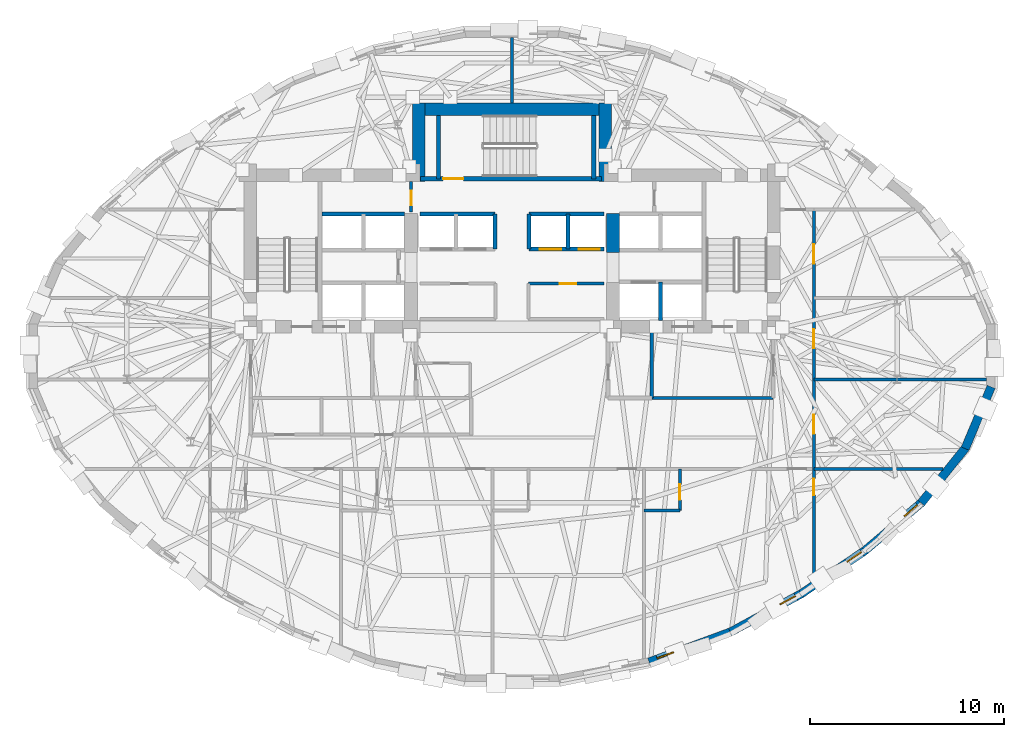
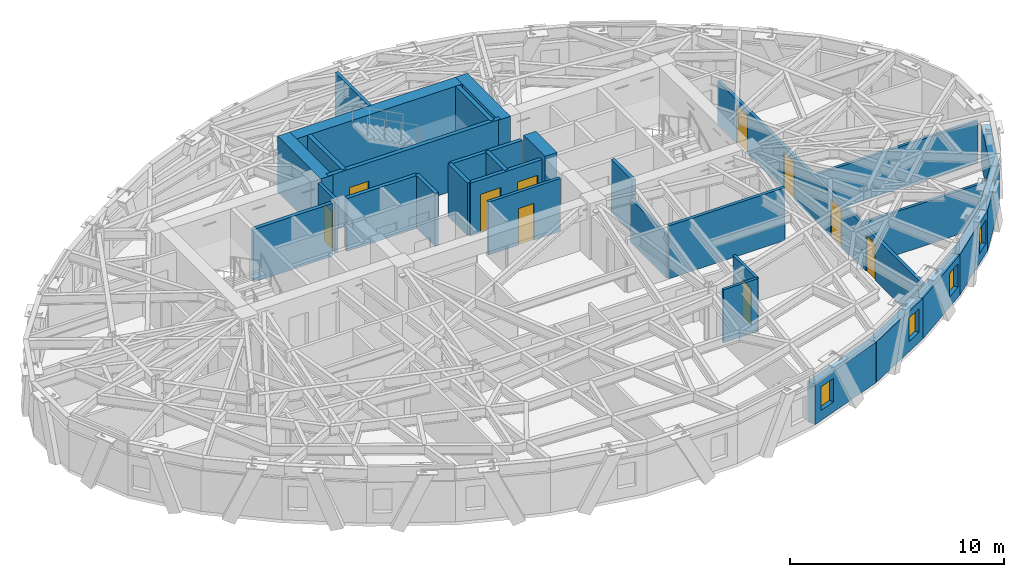
# One storey, part 8 of 14: 31 walls, 10 doors, 4 windows, 14 openings.
"""IFC4 building model written with IfcOpenShell, lengths in metres."""

from ifc_helpers import new_model, si_unit, direction, frame, frame_2d, origin, place, context, subcontext, project, spatial, rectangle, extrude, material, layer, layer_set, type_object, element, fill, save


model = new_model("IFC4")

# Units and contexts
model_context = context("Model", 3, precision=1e-05, world=origin(), true_north=direction((0.0, 1.0)))
body_context = subcontext(model_context, "Body", "Model", "MODEL_VIEW")
ifc_project = project(units=[si_unit("LENGTHUNIT", "METRE"), si_unit("AREAUNIT", "SQUARE_METRE"), si_unit("VOLUMEUNIT", "CUBIC_METRE"), si_unit("PLANEANGLEUNIT", "RADIAN"), si_unit("MASSUNIT", "GRAM", prefix="KILO")], contexts=[model_context])

# Site, building, storey
site_placement = place(None, origin())
site = spatial("IfcSite", under=ifc_project, at=site_placement, CompositionType="ELEMENT")
building_placement = place(site_placement, origin())
building = spatial("IfcBuilding", under=site, at=building_placement, Name="Keldmark Tower", CompositionType="ELEMENT")
storey_placement = place(building_placement, frame((0.0, 0.0, 179.0)))
storey = spatial("IfcBuildingStorey", under=building, at=storey_placement, Name="L49", CompositionType="ELEMENT", Elevation=179.0)

# Walls
ifc_material_1 = material(Name="Type X Fire-Rated Gypsum Partition Assembly", Category="gypsum")
ifc_layer_1 = layer(ifc_material_1, 0.1650390625)
ifc_layer_set_1 = layer_set([ifc_layer_1], Name="Type X Fire-Rated Gypsum Partition Assembly")
wall_type_1 = type_object("IfcWallType", Name="Rated Partition 165 mm", PredefinedType="PARTITIONING", material=ifc_layer_set_1)
wall_1_placement = place(storey_placement, frame((7.199951171875, -2.14990234375, 0.0), z_axis=(0.0, 0.0, 1.0), x_axis=(1.0, 0.0, 0.0)))
element("IfcWall", 1, at=wall_1_placement, inside=storey, type_object=wall_type_1, Name="L49 Rated Partition 165 mm FSAE-E-S", PredefinedType="PARTITIONING", context=body_context, shape_type="SweptSolid", body=[
    extrude(rectangle(XDim=6.25, YDim=0.1650390625, at=frame_2d((3.125, 0.0))), origin(), (0.0, 0.0, 1.0), 3.02001953125),
])
wall_2_placement = place(storey_placement, frame((7.199951171875, -2.14990234375, 0.0), z_axis=(0.0, 0.0, 1.0), x_axis=(0.0, 1.0, 0.0)))
element("IfcWall", 2, at=wall_2_placement, inside=storey, type_object=wall_type_1, Name="L49 Rated Partition 165 mm FSAE-E-W", PredefinedType="PARTITIONING", context=body_context, shape_type="SweptSolid", body=[
    extrude(rectangle(XDim=3.39990234375, YDim=0.1650390625, at=frame_2d((1.699951171875, 0.0))), origin(), (0.0, 0.0, 1.0), 2.472900390625),
])

# Wall, opening, door
wall_3_placement = place(storey_placement, frame((0.85009765625, 3.739990234375, 0.0), z_axis=(0.0, 0.0, 1.0), x_axis=(1.0, 0.0, 0.0)))
wall_3 = element("IfcWall", 3, at=wall_3_placement, inside=storey, type_object=wall_type_1, Name="L49 Rated Partition 165 mm REC-LE-N", PredefinedType="PARTITIONING", context=body_context, shape_type="SweptSolid", body=[
    extrude(rectangle(XDim=3.889892578125, YDim=0.1650390625, at=frame_2d((1.94482421875, 0.0))), origin(), (0.0, 0.0, 1.0), 3.02001953125),
])
opening_1_placement = place(wall_3_placement, frame((1.60009765625, 0.0, 0.0)))
opening_1 = element("IfcOpeningElement", 4, at=opening_1_placement, cuts=wall_3, Name="Opening D-SV085", PredefinedType="OPENING", context=body_context, shape_type="SweptSolid", body=[
    extrude(rectangle(XDim=0.85009765625, YDim=2.10009765625, at=frame_2d((0.425048828125, 1.050048828125))), frame((0.0, 0.092529296875, 0.0), z_axis=(0.0, -1.0, 0.0), x_axis=(1.0, 0.0, 0.0)), (0.0, 0.0, 1.0), 0.18505859375),
])
ifc_material_2 = material(Name="Painted Hollow Metal Door Assembly", Category="metal")
door_type_1 = type_object("IfcDoorType", Name="Service Door 850x2100", OperationType="NOTDEFINED", PredefinedType="DOOR", material=ifc_material_2)
door_1_placement = place(opening_1_placement, origin())
door_1 = element("IfcDoor", 5, at=door_1_placement, inside=storey, type_object=door_type_1, Name="L49 Service Door 850x2100 D-RECLE1-L49", OperationType="SINGLE_SWING_RIGHT", OverallHeight=2.10009765625, OverallWidth=0.85009765625, PredefinedType="DOOR", context=body_context, shape_type="SweptSolid", body=[
    extrude(rectangle(XDim=0.85009765625, YDim=2.10009765625, at=frame_2d((0.425048828125, 1.050048828125))), frame((0.0, 0.02490234375, 0.0), z_axis=(0.0, -1.0, 0.0), x_axis=(1.0, 0.0, 0.0)), (0.0, 0.0, 1.0), 0.050048828125),
])
fill(opening_1, door_1)

wall_4_placement = place(storey_placement, frame((-5.199951171875, 7.419921875, 0.0), z_axis=(0.0, 0.0, 1.0), x_axis=(0.0, 1.0, 0.0)))
wall_4 = element("IfcWall", 6, at=wall_4_placement, inside=storey, type_object=wall_type_1, Name="L49 Rated Partition 165 mm CS-NW-E", PredefinedType="PARTITIONING", context=body_context, shape_type="SweptSolid", body=[
    extrude(rectangle(XDim=1.580078125, YDim=0.1650390625, at=frame_2d((0.7900390625, 0.0))), origin(), (0.0, 0.0, 1.0), 3.02001953125),
])
opening_2_placement = place(wall_4_placement, frame((0.35009765625, 0.0, 0.0)))
opening_2 = element("IfcOpeningElement", 7, at=opening_2_placement, cuts=wall_4, Name="Opening D-RS075", PredefinedType="OPENING", context=body_context, shape_type="SweptSolid", body=[
    extrude(rectangle(XDim=0.75, YDim=2.10009765625, at=frame_2d((0.375, 1.050048828125))), frame((0.0, 0.092529296875, 0.0), z_axis=(0.0, -1.0, 0.0), x_axis=(1.0, 0.0, 0.0)), (0.0, 0.0, 1.0), 0.18505859375),
])
ifc_material_3 = material(Name="Galvanized Fire-Rated Access Leaf", Category="metal")
door_type_2 = type_object("IfcDoorType", Name="Riser Access Door 750x2100", OperationType="NOTDEFINED", PredefinedType="DOOR", material=ifc_material_3)
door_2_placement = place(opening_2_placement, origin())
door_2 = element("IfcDoor", 8, at=door_2_placement, inside=storey, type_object=door_type_2, Name="L49 Riser Access Door 750x2100 D-CSNW1-L49", OperationType="SINGLE_SWING_LEFT", OverallHeight=2.10009765625, OverallWidth=0.75, PredefinedType="DOOR", context=body_context, shape_type="SweptSolid", body=[
    extrude(rectangle(XDim=0.75, YDim=2.10009765625, at=frame_2d((0.375, 1.050048828125))), frame((0.0, 0.02490234375, 0.0), z_axis=(0.0, -1.0, 0.0), x_axis=(1.0, 0.0, 0.0)), (0.0, 0.0, 1.0), 0.050048828125),
])
fill(opening_2, door_2)

# Wall, openings, doors
wall_5_placement = place(storey_placement, frame((15.550048828125, -11.51416015625, 0.0), z_axis=(0.0, 0.0, 1.0), x_axis=(0.0, 1.0, 0.0)))
wall_5 = element("IfcWall", 9, at=wall_5_placement, inside=storey, type_object=wall_type_1, Name="L49 Rated Partition 165 mm HCOR-E", PredefinedType="PARTITIONING", context=body_context, shape_type="SweptSolid", body=[
    extrude(rectangle(XDim=19.064208984375, YDim=0.1650390625, at=frame_2d((9.5322265625, 0.0))), origin(), (0.0, 0.0, 1.0), 2.472900390625),
])
opening_3_placement = place(wall_5_placement, frame((4.364501953125, 0.0, 0.0)))
opening_3 = element("IfcOpeningElement", 10, at=opening_3_placement, cuts=wall_5, Name="Opening D-IN085", PredefinedType="OPENING", context=body_context, shape_type="SweptSolid", body=[
    extrude(rectangle(XDim=0.85009765625, YDim=2.10009765625, at=frame_2d((0.425048828125, 1.050048828125))), frame((0.0, 0.092529296875, 0.0), z_axis=(0.0, -1.0, 0.0), x_axis=(1.0, 0.0, 0.0)), (0.0, 0.0, 1.0), 0.18505859375),
])
opening_4_placement = place(wall_5_placement, frame((7.5146484375, 0.0, 0.0)))
opening_4 = element("IfcOpeningElement", 11, at=opening_4_placement, cuts=wall_5, Name="Opening D-FD100", PredefinedType="OPENING", context=body_context, shape_type="SweptSolid", body=[
    extrude(rectangle(XDim=1.0, YDim=2.14990234375, at=frame_2d((0.5, 1.074951171875))), frame((0.0, 0.092529296875, 0.0), z_axis=(0.0, -1.0, 0.0), x_axis=(1.0, 0.0, 0.0)), (0.0, 0.0, 1.0), 0.18505859375),
])
opening_5_placement = place(wall_5_placement, frame((11.91455078125, 0.0, 0.0)))
opening_5 = element("IfcOpeningElement", 12, at=opening_5_placement, cuts=wall_5, Name="Opening D-FD100", PredefinedType="OPENING", context=body_context, shape_type="SweptSolid", body=[
    extrude(rectangle(XDim=1.0, YDim=2.14990234375, at=frame_2d((0.5, 1.074951171875))), frame((0.0, 0.092529296875, 0.0), z_axis=(0.0, -1.0, 0.0), x_axis=(1.0, 0.0, 0.0)), (0.0, 0.0, 1.0), 0.18505859375),
])
opening_6_placement = place(wall_5_placement, frame((16.28955078125, 0.0, 0.0)))
opening_6 = element("IfcOpeningElement", 13, at=opening_6_placement, cuts=wall_5, Name="Opening D-FD100", PredefinedType="OPENING", context=body_context, shape_type="SweptSolid", body=[
    extrude(rectangle(XDim=1.0, YDim=2.14990234375, at=frame_2d((0.5, 1.074951171875))), frame((0.0, 0.092529296875, 0.0), z_axis=(0.0, -1.0, 0.0), x_axis=(1.0, 0.0, 0.0)), (0.0, 0.0, 1.0), 0.18505859375),
])
ifc_material_4 = material(Name="Hollow Metal Fire-Rated Corridor Door", Category="metal")
door_type_3 = type_object("IfcDoorType", Name="Fire Door 1000x2150", OperationType="NOTDEFINED", PredefinedType="DOOR", material=ifc_material_4)
door_3_placement = place(opening_4_placement, origin())
door_3 = element("IfcDoor", 14, at=door_3_placement, inside=storey, type_object=door_type_3, Name="L49 Fire Door 1000x2150 D-HESP-1-L49", OperationType="SINGLE_SWING_RIGHT", OverallHeight=2.14990234375, OverallWidth=1.0, PredefinedType="DOOR", context=body_context, shape_type="SweptSolid", body=[
    extrude(rectangle(XDim=1.0, YDim=2.14990234375, at=frame_2d((0.5, 1.074951171875))), frame((0.0, 0.02490234375, 0.0), z_axis=(0.0, -1.0, 0.0), x_axis=(1.0, 0.0, 0.0)), (0.0, 0.0, 1.0), 0.050048828125),
])
fill(opening_4, door_3)
door_4_placement = place(opening_5_placement, origin())
door_4 = element("IfcDoor", 15, at=door_4_placement, inside=storey, type_object=door_type_3, Name="L49 Fire Door 1000x2150 D-HESP-2-L49", OperationType="SINGLE_SWING_LEFT", OverallHeight=2.14990234375, OverallWidth=1.0, PredefinedType="DOOR", context=body_context, shape_type="SweptSolid", body=[
    extrude(rectangle(XDim=1.0, YDim=2.14990234375, at=frame_2d((0.5, 1.074951171875))), frame((0.0, 0.02490234375, 0.0), z_axis=(0.0, -1.0, 0.0), x_axis=(1.0, 0.0, 0.0)), (0.0, 0.0, 1.0), 0.050048828125),
])
fill(opening_5, door_4)
door_5_placement = place(opening_6_placement, origin())
door_5 = element("IfcDoor", 16, at=door_5_placement, inside=storey, type_object=door_type_3, Name="L49 Fire Door 1000x2150 D-HESP-3-L49", OperationType="SINGLE_SWING_LEFT", OverallHeight=2.14990234375, OverallWidth=1.0, PredefinedType="DOOR", context=body_context, shape_type="SweptSolid", body=[
    extrude(rectangle(XDim=1.0, YDim=2.14990234375, at=frame_2d((0.5, 1.074951171875))), frame((0.0, 0.02490234375, 0.0), z_axis=(0.0, -1.0, 0.0), x_axis=(1.0, 0.0, 0.0)), (0.0, 0.0, 1.0), 0.050048828125),
])
fill(opening_6, door_5)
ifc_material_5 = material(Name="Painted Architectural Wood", Category="wood")
door_type_4 = type_object("IfcDoorType", Name="Interior Door 850x2100", OperationType="NOTDEFINED", PredefinedType="DOOR", material=ifc_material_5)
door_6_placement = place(opening_3_placement, origin())
door_6 = element("IfcDoor", 17, at=door_6_placement, inside=storey, type_object=door_type_4, Name="L49 Interior Door 850x2100 D-HKSE-L49", OperationType="SINGLE_SWING_RIGHT", OverallHeight=2.10009765625, OverallWidth=0.85009765625, PredefinedType="DOOR", context=body_context, shape_type="SweptSolid", body=[
    extrude(rectangle(XDim=0.85009765625, YDim=2.10009765625, at=frame_2d((0.425048828125, 1.050048828125))), frame((0.0, 0.02490234375, 0.0), z_axis=(0.0, -1.0, 0.0), x_axis=(1.0, 0.0, 0.0)), (0.0, 0.0, 1.0), 0.050048828125),
])
fill(opening_3, door_6)

# Walls
wall_6_placement = place(storey_placement, frame((0.0, 13.050048828125, 0.0), z_axis=(0.0, 0.0, 1.0), x_axis=(0.0, 1.0, 0.0)))
element("IfcWall", 18, at=wall_6_placement, inside=storey, type_object=wall_type_1, Name="L49 Rated Partition 165 mm HN-DIV", PredefinedType="PARTITIONING", context=body_context, shape_type="SweptSolid", body=[
    extrude(rectangle(XDim=3.366943359375, YDim=0.1650390625, at=frame_2d((1.68359375, 0.0))), origin(), (0.0, 0.0, 1.0), 3.02001953125),
])
ifc_material_6 = material(Name="Fire-Resistant Type X Gypsum Shaftliner Coreboard", Category="gypsum")
ifc_layer_2 = layer(ifc_material_6, 0.199951171875)
ifc_layer_set_2 = layer_set([ifc_layer_2], Name="Fire-Resistant Type X Gypsum Shaftliner Coreboard")
wall_type_2 = type_object("IfcWallType", Name="Shaft Wall 200 mm", PredefinedType="SOLIDWALL", material=ifc_layer_set_2)
wall_7_placement = place(storey_placement, frame((-9.780029296875, 7.330078125, 0.0), z_axis=(0.0, 0.0, 1.0), x_axis=(1.0, 0.0, 0.0)))
element("IfcWall", 19, at=wall_7_placement, inside=storey, type_object=wall_type_2, Name="L49 Shaft Wall 200 mm HW-W-TOP", PredefinedType="SOLIDWALL", context=body_context, shape_type="SweptSolid", body=[
    extrude(rectangle(XDim=4.255126953125, YDim=0.199951171875, at=frame_2d((2.12744140625, 0.0))), origin(), (0.0, 0.0, 1.0), 3.02001953125),
])
wall_8_placement = place(storey_placement, frame((7.64990234375, 1.85009765625, 0.0), z_axis=(0.0, 0.0, 1.0), x_axis=(0.0, 1.0, 0.0)))
element("IfcWall", 20, at=wall_8_placement, inside=storey, type_object=wall_type_2, Name="L49 Shaft Wall 200 mm HW-E-M", PredefinedType="SOLIDWALL", context=body_context, shape_type="SweptSolid", body=[
    extrude(rectangle(XDim=1.969970703125, YDim=0.199951171875, at=frame_2d((0.98486328125, 0.0))), origin(), (0.0, 0.0, 1.0), 3.02001953125),
])

# Wall, openings, doors
wall_9_placement = place(storey_placement, frame((0.8798828125, 5.52001953125, 0.0), z_axis=(0.0, 0.0, 1.0), x_axis=(1.0, 0.0, 0.0)))
wall_9 = element("IfcWall", 21, at=wall_9_placement, inside=storey, type_object=wall_type_2, Name="L49 Shaft Wall 200 mm MID-S-E", PredefinedType="SOLIDWALL", context=body_context, shape_type="SweptSolid", body=[
    extrude(rectangle(XDim=3.860107421875, YDim=0.199951171875, at=frame_2d((1.93017578125, 0.0))), origin(), (0.0, 0.0, 1.0), 3.02001953125),
])
opening_7_placement = place(wall_9_placement, frame((0.550048828125, 0.0, 0.0)))
opening_7 = element("IfcOpeningElement", 22, at=opening_7_placement, cuts=wall_9, Name="Opening LD-110", PredefinedType="OPENING", context=body_context, shape_type="SweptSolid", body=[
    extrude(rectangle(XDim=1.10009765625, YDim=2.199951171875, at=frame_2d((0.550048828125, 1.10009765625))), frame((0.0, 0.10986328125, 0.0), z_axis=(0.0, -1.0, 0.0), x_axis=(1.0, 0.0, 0.0)), (0.0, 0.0, 1.0), 0.219970703125),
])
opening_8_placement = place(wall_9_placement, frame((2.550048828125, 0.0, 0.0)))
opening_8 = element("IfcOpeningElement", 23, at=opening_8_placement, cuts=wall_9, Name="Opening LD-110", PredefinedType="OPENING", context=body_context, shape_type="SweptSolid", body=[
    extrude(rectangle(XDim=1.10009765625, YDim=2.199951171875, at=frame_2d((0.550048828125, 1.10009765625))), frame((0.0, 0.10986328125, 0.0), z_axis=(0.0, -1.0, 0.0), x_axis=(1.0, 0.0, 0.0)), (0.0, 0.0, 1.0), 0.219970703125),
])
ifc_material_7 = material(Name="Brushed Bronze Hoistway Sliding Leaf", Category="metal")
door_type_5 = type_object("IfcDoorType", Name="Lift Landing Sliding Door 1100x2200", OperationType="SLIDING_TO_LEFT", PredefinedType="DOOR", material=ifc_material_7)
door_7_placement = place(opening_7_placement, origin())
door_7 = element("IfcDoor", 24, at=door_7_placement, inside=storey, type_object=door_type_5, Name="L49 Lift Landing Sliding Door 1100x2200 LD-EL-M3-L49", OperationType="SLIDING_TO_LEFT", OverallHeight=2.199951171875, OverallWidth=1.10009765625, PredefinedType="DOOR", context=body_context, shape_type="SweptSolid", body=[
    extrude(rectangle(XDim=1.10009765625, YDim=2.199951171875, at=frame_2d((0.550048828125, 1.10009765625))), frame((0.0, 0.02490234375, 0.0), z_axis=(0.0, -1.0, 0.0), x_axis=(1.0, 0.0, 0.0)), (0.0, 0.0, 1.0), 0.050048828125),
])
fill(opening_7, door_7)
door_8_placement = place(opening_8_placement, origin())
door_8 = element("IfcDoor", 25, at=door_8_placement, inside=storey, type_object=door_type_5, Name="L49 Lift Landing Sliding Door 1100x2200 LD-EL-M4-L49", OperationType="SLIDING_TO_LEFT", OverallHeight=2.199951171875, OverallWidth=1.10009765625, PredefinedType="DOOR", context=body_context, shape_type="SweptSolid", body=[
    extrude(rectangle(XDim=1.10009765625, YDim=2.199951171875, at=frame_2d((0.550048828125, 1.10009765625))), frame((0.0, 0.02490234375, 0.0), z_axis=(0.0, -1.0, 0.0), x_axis=(1.0, 0.0, 0.0)), (0.0, 0.0, 1.0), 0.050048828125),
])
fill(opening_8, door_8)

# Walls
for number, where, z_axis, x_axis, name in (
    (26, (-4.739990234375, 7.330078125, 0.0), (0.0, 0.0, 1.0), (1.0, 0.0, 0.0), "L49 Shaft Wall 200 mm MID-N-W"),
    (27, (0.8798828125, 7.330078125, 0.0), (0.0, 0.0, 1.0), (1.0, 0.0, 0.0), "L49 Shaft Wall 200 mm MID-N-E"),
):
    element("IfcWall", number, at=place(storey_placement, frame(where, z_axis=z_axis, x_axis=x_axis)), inside=storey, type_object=wall_type_2, Name=name, PredefinedType="SOLIDWALL", context=body_context, shape_type="SweptSolid", body=[
        extrude(rectangle(XDim=3.860107421875, YDim=0.199951171875, at=frame_2d((1.93017578125, 0.0))), origin(), (0.0, 0.0, 1.0), 3.02001953125),
    ])
for number, where, z_axis, x_axis, name in (
    (28, (2.8798828125, 5.52001953125, 0.0), (0.0, 0.0, 1.0), (0.0, 1.0, 0.0), "L49 Shaft Wall 200 mm MID-M-E"),
    (29, (-0.8798828125, 5.52001953125, 0.0), (0.0, 0.0, 1.0), (0.0, 1.0, 0.0), "L49 Shaft Wall 200 mm MID-C-W"),
    (30, (0.8798828125, 5.52001953125, 0.0), (0.0, 0.0, 1.0), (0.0, 1.0, 0.0), "L49 Shaft Wall 200 mm MID-C-E"),
):
    element("IfcWall", number, at=place(storey_placement, frame(where, z_axis=z_axis, x_axis=x_axis)), inside=storey, type_object=wall_type_2, Name=name, PredefinedType="SOLIDWALL", context=body_context, shape_type="SweptSolid", body=[
        extrude(rectangle(XDim=1.81005859375, YDim=0.199951171875, at=frame_2d((0.905029296875, 0.0))), origin(), (0.0, 0.0, 1.0), 3.02001953125),
    ])

# Wall, opening, door
ifc_material_8 = material(Name="Concrete C50/60", Category="concrete")
ifc_layer_3 = layer(ifc_material_8, 0.219970703125)
ifc_layer_set_3 = layer_set([ifc_layer_3], Name="Concrete C50/60")
wall_type_3 = type_object("IfcWallType", Name="Stair Core Shear Wall 220 mm", PredefinedType="SHEAR", material=ifc_layer_set_3)
wall_10_placement = place(storey_placement, frame((-4.699951171875, 9.139892578125, 0.0), z_axis=(0.0, 0.0, 1.0), x_axis=(1.0, 0.0, 0.0)))
wall_10 = element("IfcWall", 31, at=wall_10_placement, inside=storey, type_object=wall_type_3, Name="L49 Central Stair Core South Shear Wall", PredefinedType="SHEAR", context=body_context, shape_type="SweptSolid", body=[
    extrude(rectangle(XDim=9.300048828125, YDim=0.219970703125, at=frame_2d((4.64990234375, 0.0))), origin(), (0.0, 0.0, 1.0), 3.199951171875),
])
opening_9_placement = place(wall_10_placement, frame((1.14990234375, 0.0, 0.0)))
opening_9 = element("IfcOpeningElement", 32, at=opening_9_placement, cuts=wall_10, Name="Opening D-ST105", PredefinedType="OPENING", context=body_context, shape_type="SweptSolid", body=[
    extrude(rectangle(XDim=1.050048828125, YDim=2.14990234375, at=frame_2d((0.52490234375, 1.074951171875))), frame((0.0, 0.119873046875, 0.0), z_axis=(0.0, -1.0, 0.0), x_axis=(1.0, 0.0, 0.0)), (0.0, 0.0, 1.0), 0.239990234375),
])
ifc_material_9 = material(Name="Hollow Metal Fire-Rated Door Assembly", Category="metal")
door_type_6 = type_object("IfcDoorType", Name="Stair Fire Door 1050x2150", OperationType="NOTDEFINED", PredefinedType="DOOR", material=ifc_material_9)
door_9_placement = place(opening_9_placement, origin())
door_9 = element("IfcDoor", 33, at=door_9_placement, inside=storey, type_object=door_type_6, Name="L49 Stair Fire Door 1050x2150 D-ST3-L49", OperationType="SINGLE_SWING_RIGHT", OverallHeight=2.14990234375, OverallWidth=1.050048828125, PredefinedType="DOOR", context=body_context, shape_type="SweptSolid", body=[
    extrude(rectangle(XDim=1.050048828125, YDim=2.14990234375, at=frame_2d((0.52490234375, 1.074951171875))), frame((0.0, 0.02490234375, 0.0), z_axis=(0.0, -1.0, 0.0), x_axis=(1.0, 0.0, 0.0)), (0.0, 0.0, 1.0), 0.050048828125),
])
fill(opening_9, door_9)

# Walls
for number, where, z_axis, x_axis, name in (
    (34, (-3.784912109375, 9.139892578125, 0.0), (0.0, 0.0, 1.0), (0.0, 1.0, 0.0), "L49 Central Stair Core West Shear Wall"),
    (35, (4.215087890625, 9.139892578125, 0.0), (0.0, 0.0, 1.0), (0.0, 1.0, 0.0), "L49 Central Stair Core East Shear Wall"),
):
    element("IfcWall", number, at=place(storey_placement, frame(where, z_axis=z_axis, x_axis=x_axis)), inside=storey, type_object=wall_type_3, Name=name, PredefinedType="SHEAR", context=body_context, shape_type="SweptSolid", body=[
        extrude(rectangle(XDim=3.260009765625, YDim=0.219970703125, at=frame_2d((1.6298828125, 0.0))), origin(), (0.0, 0.0, 1.0), 3.199951171875),
    ])

# Wall, opening, window
ifc_material_10 = material(Name="Ironspot Manganese Brick and Kasota Buff Limestone Spandrel Assembly", Category="masonry")
ifc_layer_4 = layer(ifc_material_10, 0.43994140625)
ifc_layer_set_4 = layer_set([ifc_layer_4], Name="Ironspot Manganese Brick and Kasota Buff Limestone Spandrel Assembly")
wall_type_4 = type_object("IfcWallType", Name="Tower Brick Pier and Spandrel Wall 440 mm", PredefinedType="STANDARD", material=ifc_layer_set_4)
wall_11_placement = place(storey_placement, frame((11.27734375, -14.193359375, 0.0), z_axis=(0.0, 0.0, 1.0), x_axis=(-0.937993730452, -0.346652220004, 0.0)))
wall_11 = element("IfcWall", 36, at=wall_11_placement, inside=storey, type_object=wall_type_4, Name="L49 Exterior Brick and Spandrel Wall 26", PredefinedType="STANDARD", context=body_context, shape_type="SweptSolid", body=[
    extrude(rectangle(XDim=4.491943359375, YDim=0.43994140625, at=frame_2d((2.24609375, 0.0))), origin(), (0.0, 0.0, 1.0), 2.31494140625),
])
opening_10_placement = place(wall_11_placement, frame((3.142578125, 0.0, 0.580078125)))
opening_10 = element("IfcOpeningElement", 37, at=opening_10_placement, cuts=wall_11, Name="Opening W-09", PredefinedType="OPENING", context=body_context, shape_type="SweptSolid", body=[
    extrude(rectangle(XDim=0.89990234375, YDim=1.35009765625, at=frame_2d((0.449951171875, 0.675048828125))), frame((0.0, 0.22998046875, 0.0), z_axis=(0.0, -1.0, 0.0), x_axis=(1.0, 0.0, 0.0)), (0.0, 0.0, 1.0), 0.4599609375),
])
ifc_material_11 = material(Name="Thermally Broken Anodized Aluminum and Triple Low-E Argon Glazing", Category="aluminium")
window_type = type_object("IfcWindowType", Name="Corner Pier Deep-Set Window 900x1350", PartitioningType="SINGLE_PANEL", PredefinedType="WINDOW", material=ifc_material_11)
window_1_placement = place(opening_10_placement, origin())
window_1 = element("IfcWindow", 38, at=window_1_placement, inside=storey, type_object=window_type, Name="L49 Deep-Set Window 26", OverallHeight=1.35009765625, OverallWidth=0.89990234375, PartitioningType="SINGLE_PANEL", PredefinedType="WINDOW", context=body_context, shape_type="SweptSolid", body=[
    extrude(rectangle(XDim=0.89990234375, YDim=1.35009765625, at=frame_2d((0.449951171875, 0.675048828125))), frame((0.0, -0.010009765625, 0.0), z_axis=(0.0, -1.0, 0.0), x_axis=(1.0, 0.0, 0.0)), (0.0, 0.0, 1.0), 0.06005859375),
])
fill(opening_10, window_1)

wall_12_placement = place(storey_placement, frame((14.920166015625, -12.2177734375, 0.0), z_axis=(0.0, 0.0, 1.0), x_axis=(-0.879306250646, -0.476256776933, 0.0)))
wall_12 = element("IfcWall", 39, at=wall_12_placement, inside=storey, type_object=wall_type_4, Name="L49 Exterior Brick and Spandrel Wall 27", PredefinedType="STANDARD", context=body_context, shape_type="SweptSolid", body=[
    extrude(rectangle(XDim=4.17529296875, YDim=0.43994140625, at=frame_2d((2.087646484375, 0.0))), origin(), (0.0, 0.0, 1.0), 2.31494140625),
])
opening_11_placement = place(wall_12_placement, frame((0.3486328125, 0.0, 0.580078125)))
opening_11 = element("IfcOpeningElement", 40, at=opening_11_placement, cuts=wall_12, Name="Opening W-09", PredefinedType="OPENING", context=body_context, shape_type="SweptSolid", body=[
    extrude(rectangle(XDim=0.89990234375, YDim=1.35009765625, at=frame_2d((0.449951171875, 0.675048828125))), frame((0.0, 0.22998046875, 0.0), z_axis=(0.0, -1.0, 0.0), x_axis=(1.0, 0.0, 0.0)), (0.0, 0.0, 1.0), 0.4599609375),
])
window_2_placement = place(opening_11_placement, origin())
window_2 = element("IfcWindow", 41, at=window_2_placement, inside=storey, type_object=window_type, Name="L49 Deep-Set Window 27", OverallHeight=1.35009765625, OverallWidth=0.89990234375, PartitioningType="SINGLE_PANEL", PredefinedType="WINDOW", context=body_context, shape_type="SweptSolid", body=[
    extrude(rectangle(XDim=0.89990234375, YDim=1.35009765625, at=frame_2d((0.449951171875, 0.675048828125))), frame((0.0, -0.010009765625, 0.0), z_axis=(0.0, -1.0, 0.0), x_axis=(1.0, 0.0, 0.0)), (0.0, 0.0, 1.0), 0.06005859375),
])
fill(opening_11, window_2)

wall_13_placement = place(storey_placement, frame((18.1845703125, -10.00341796875, 0.0), z_axis=(0.0, 0.0, 1.0), x_axis=(-0.827725942945, -0.561132572015, 0.0)))
wall_13 = element("IfcWall", 42, at=wall_13_placement, inside=storey, type_object=wall_type_4, Name="L49 Exterior Brick and Spandrel Wall 28", PredefinedType="STANDARD", context=body_context, shape_type="SweptSolid", body=[
    extrude(rectangle(XDim=3.96630859375, YDim=0.43994140625, at=frame_2d((1.983154296875, 0.0))), origin(), (0.0, 0.0, 1.0), 2.31494140625),
])
opening_12_placement = place(wall_13_placement, frame((0.199951171875, 0.0, 0.580078125)))
opening_12 = element("IfcOpeningElement", 43, at=opening_12_placement, cuts=wall_13, Name="Opening W-09", PredefinedType="OPENING", context=body_context, shape_type="SweptSolid", body=[
    extrude(rectangle(XDim=0.89990234375, YDim=1.35009765625, at=frame_2d((0.449951171875, 0.675048828125))), frame((0.0, 0.22998046875, 0.0), z_axis=(0.0, -1.0, 0.0), x_axis=(1.0, 0.0, 0.0)), (0.0, 0.0, 1.0), 0.4599609375),
])
window_3_placement = place(opening_12_placement, origin())
window_3 = element("IfcWindow", 44, at=window_3_placement, inside=storey, type_object=window_type, Name="L49 Deep-Set Window 28", OverallHeight=1.35009765625, OverallWidth=0.89990234375, PartitioningType="SINGLE_PANEL", PredefinedType="WINDOW", context=body_context, shape_type="SweptSolid", body=[
    extrude(rectangle(XDim=0.89990234375, YDim=1.35009765625, at=frame_2d((0.449951171875, 0.675048828125))), frame((0.0, -0.010009765625, 0.0), z_axis=(0.0, -1.0, 0.0), x_axis=(1.0, 0.0, 0.0)), (0.0, 0.0, 1.0), 0.06005859375),
])
fill(opening_12, window_3)

wall_14_placement = place(storey_placement, frame((21.098876953125, -7.529052734375, 0.0), z_axis=(0.0, 0.0, 1.0), x_axis=(-0.762499647343, -0.646988630349, 0.0)))
wall_14 = element("IfcWall", 45, at=wall_14_placement, inside=storey, type_object=wall_type_4, Name="L49 Exterior Brick and Spandrel Wall 29", PredefinedType="STANDARD", context=body_context, shape_type="SweptSolid", body=[
    extrude(rectangle(XDim=3.8466796875, YDim=0.43994140625, at=frame_2d((1.92333984375, 0.0))), origin(), (0.0, 0.0, 1.0), 2.31494140625),
])
opening_13_placement = place(wall_14_placement, frame((0.25, 0.0, 0.580078125)))
opening_13 = element("IfcOpeningElement", 46, at=opening_13_placement, cuts=wall_14, Name="Opening W-09", PredefinedType="OPENING", context=body_context, shape_type="SweptSolid", body=[
    extrude(rectangle(XDim=0.89990234375, YDim=1.35009765625, at=frame_2d((0.449951171875, 0.675048828125))), frame((0.0, 0.22998046875, 0.0), z_axis=(0.0, -1.0, 0.0), x_axis=(1.0, 0.0, 0.0)), (0.0, 0.0, 1.0), 0.4599609375),
])
window_4_placement = place(opening_13_placement, origin())
window_4 = element("IfcWindow", 47, at=window_4_placement, inside=storey, type_object=window_type, Name="L49 Deep-Set Window 29", OverallHeight=1.35009765625, OverallWidth=0.89990234375, PartitioningType="SINGLE_PANEL", PredefinedType="WINDOW", context=body_context, shape_type="SweptSolid", body=[
    extrude(rectangle(XDim=0.89990234375, YDim=1.35009765625, at=frame_2d((0.449951171875, 0.675048828125))), frame((0.0, -0.010009765625, 0.0), z_axis=(0.0, -1.0, 0.0), x_axis=(1.0, 0.0, 0.0)), (0.0, 0.0, 1.0), 0.06005859375),
])
fill(opening_13, window_4)

# Walls
wall_15_placement = place(storey_placement, frame((23.36669921875, -4.702392578125, 0.0), z_axis=(0.0, 0.0, 1.0), x_axis=(-0.626642586146, -0.779306787618, 0.0)))
element("IfcWall", 48, at=wall_15_placement, inside=storey, type_object=wall_type_4, Name="L49 Exterior Brick and Spandrel Wall 30", PredefinedType="STANDARD", context=body_context, shape_type="SweptSolid", body=[
    extrude(rectangle(XDim=3.665283203125, YDim=0.43994140625, at=frame_2d((1.83251953125, 0.0))), origin(), (0.0, 0.0, 1.0), 2.31494140625),
])
wall_16_placement = place(storey_placement, frame((24.67529296875, -1.57568359375, 0.0), z_axis=(0.0, 0.0, 1.0), x_axis=(-0.388360687569, -0.9215074478, 0.0)))
element("IfcWall", 49, at=wall_16_placement, inside=storey, type_object=wall_type_4, Name="L49 Exterior Brick and Spandrel Wall 31", PredefinedType="STANDARD", context=body_context, shape_type="SweptSolid", body=[
    extrude(rectangle(XDim=3.449951171875, YDim=0.43994140625, at=frame_2d((1.72509765625, 0.0))), origin(), (0.0, 0.0, 1.0), 2.31494140625),
])
ifc_material_12 = material(Name="Concrete C50/60", Category="concrete")
ifc_layer_5 = layer(ifc_material_12, 0.64990234375)
ifc_layer_set_5 = layer_set([ifc_layer_5], Name="Concrete C50/60")
wall_type_5 = type_object("IfcWallType", Name="Upper-Mid Core Shear Wall 650 mm", PredefinedType="SHEAR", material=ifc_layer_set_5)
wall_17_placement = place(storey_placement, frame((5.199951171875, 5.35009765625, 0.0), z_axis=(0.0, 0.0, 1.0), x_axis=(0.0, 1.0, 0.0)))
element("IfcWall", 50, at=wall_17_placement, inside=storey, type_object=wall_type_5, Name="L49 East Core Inner Shear Pier North", PredefinedType="SHEAR", context=body_context, shape_type="SweptSolid", body=[
    extrude(rectangle(XDim=2.0, YDim=0.64990234375, at=frame_2d((1.0, 0.0))), origin(), (0.0, 0.0, 1.0), 3.199951171875),
])
wall_18_placement = place(storey_placement, frame((-5.125, 12.72509765625, 0.0), z_axis=(0.0, 0.0, 1.0), x_axis=(1.0, 0.0, 0.0)))
element("IfcWall", 51, at=wall_18_placement, inside=storey, type_object=wall_type_5, Name="L49 North Core Shear Wall", PredefinedType="SHEAR", context=body_context, shape_type="SweptSolid", body=[
    extrude(rectangle(XDim=10.25, YDim=0.64990234375, at=frame_2d((5.125, 0.0))), origin(), (0.0, 0.0, 1.0), 3.199951171875),
])
for number, where, z_axis, x_axis, name in (
    (52, (-4.800048828125, 9.0, 0.0), (0.0, 0.0, 1.0), (0.0, 1.0, 0.0), "L49 North Core West Shear Wall"),
    (53, (4.800048828125, 9.0, 0.0), (0.0, 0.0, 1.0), (0.0, 1.0, 0.0), "L49 North Core East Shear Wall"),
):
    element("IfcWall", number, at=place(storey_placement, frame(where, z_axis=z_axis, x_axis=x_axis)), inside=storey, type_object=wall_type_5, Name=name, PredefinedType="SHEAR", context=body_context, shape_type="SweptSolid", body=[
        extrude(rectangle(XDim=4.050048828125, YDim=0.64990234375, at=frame_2d((2.02490234375, 0.0))), origin(), (0.0, 0.0, 1.0), 3.199951171875),
    ])
ifc_material_13 = material(Name="Moisture-Resistant Gypsum Plumbing Partition", Category="gypsum")
ifc_layer_6 = layer(ifc_material_13, 0.14990234375)
ifc_layer_set_6 = layer_set([ifc_layer_6], Name="Moisture-Resistant Gypsum Plumbing Partition")
wall_type_6 = type_object("IfcWallType", Name="Wet Wall 150 mm", PredefinedType="PLUMBINGWALL", material=ifc_layer_set_6)
wall_19_placement = place(storey_placement, frame((15.550048828125, -5.800048828125, 0.0), z_axis=(0.0, 0.0, 1.0), x_axis=(1.0, 0.0, 0.0)))
element("IfcWall", 54, at=wall_19_placement, inside=storey, type_object=wall_type_6, Name="L49 Wet Wall 150 mm HE-CAP-S", PredefinedType="PLUMBINGWALL", context=body_context, shape_type="SweptSolid", body=[
    extrude(rectangle(XDim=6.6416015625, YDim=0.14990234375, at=frame_2d((3.32080078125, 0.0))), origin(), (0.0, 0.0, 1.0), 2.472900390625),
])

# Wall, opening, door
wall_20_placement = place(storey_placement, frame((8.64990234375, -7.949951171875, 0.0), z_axis=(0.0, 0.0, 1.0), x_axis=(0.0, 1.0, 0.0)))
wall_20 = element("IfcWall", 55, at=wall_20_placement, inside=storey, type_object=wall_type_6, Name="L49 Wet Wall 150 mm HB-S4-E", PredefinedType="PLUMBINGWALL", context=body_context, shape_type="SweptSolid", body=[
    extrude(rectangle(XDim=2.14990234375, YDim=0.14990234375, at=frame_2d((1.074951171875, 0.0))), origin(), (0.0, 0.0, 1.0), 3.02001953125),
])
opening_14_placement = place(wall_20_placement, frame((0.550048828125, 0.0, 0.0)))
opening_14 = element("IfcOpeningElement", 56, at=opening_14_placement, cuts=wall_20, Name="Opening D-BT080", PredefinedType="OPENING", context=body_context, shape_type="SweptSolid", body=[
    extrude(rectangle(XDim=0.800048828125, YDim=2.10009765625, at=frame_2d((0.39990234375, 1.050048828125))), frame((0.0, 0.0849609375, 0.0), z_axis=(0.0, -1.0, 0.0), x_axis=(1.0, 0.0, 0.0)), (0.0, 0.0, 1.0), 0.169921875),
])
ifc_material_14 = material(Name="Moisture-Sealed Stained Wood", Category="wood")
door_type_7 = type_object("IfcDoorType", Name="Bathroom Door 800x2100", OperationType="NOTDEFINED", PredefinedType="DOOR", material=ifc_material_14)
door_10_placement = place(opening_14_placement, origin())
door_10 = element("IfcDoor", 57, at=door_10_placement, inside=storey, type_object=door_type_7, Name="L49 Bathroom Door 800x2100 D-HBS4-L49", OperationType="SINGLE_SWING_RIGHT", OverallHeight=2.10009765625, OverallWidth=0.800048828125, PredefinedType="DOOR", context=body_context, shape_type="SweptSolid", body=[
    extrude(rectangle(XDim=0.800048828125, YDim=2.10009765625, at=frame_2d((0.39990234375, 1.050048828125))), frame((0.0, 0.02490234375, 0.0), z_axis=(0.0, -1.0, 0.0), x_axis=(1.0, 0.0, 0.0)), (0.0, 0.0, 1.0), 0.050048828125),
])
fill(opening_14, door_10)

# Walls
wall_21_placement = place(storey_placement, frame((6.800048828125, -7.949951171875, 0.0), z_axis=(0.0, 0.0, 1.0), x_axis=(1.0, 0.0, 0.0)))
element("IfcWall", 58, at=wall_21_placement, inside=storey, type_object=wall_type_6, Name="L49 Wet Wall 150 mm HB-S4-S", PredefinedType="PLUMBINGWALL", context=body_context, shape_type="SweptSolid", body=[
    extrude(rectangle(XDim=1.849853515625, YDim=0.14990234375, at=frame_2d((0.9248046875, 0.0))), origin(), (0.0, 0.0, 1.0), 3.02001953125),
])
wall_22_placement = place(storey_placement, frame((15.550048828125, -1.199951171875, 0.0), z_axis=(0.0, 0.0, 1.0), x_axis=(1.0, 0.0, 0.0)))
element("IfcWall", 59, at=wall_22_placement, inside=storey, type_object=wall_type_6, Name="L49 Wet Wall 150 mm HE-DIV-1", PredefinedType="PLUMBINGWALL", context=body_context, shape_type="SweptSolid", body=[
    extrude(rectangle(XDim=8.8798828125, YDim=0.14990234375, at=frame_2d((4.43994140625, 0.0))), origin(), (0.0, 0.0, 1.0), 2.39794921875),
])

save(model, "model.ifc")
